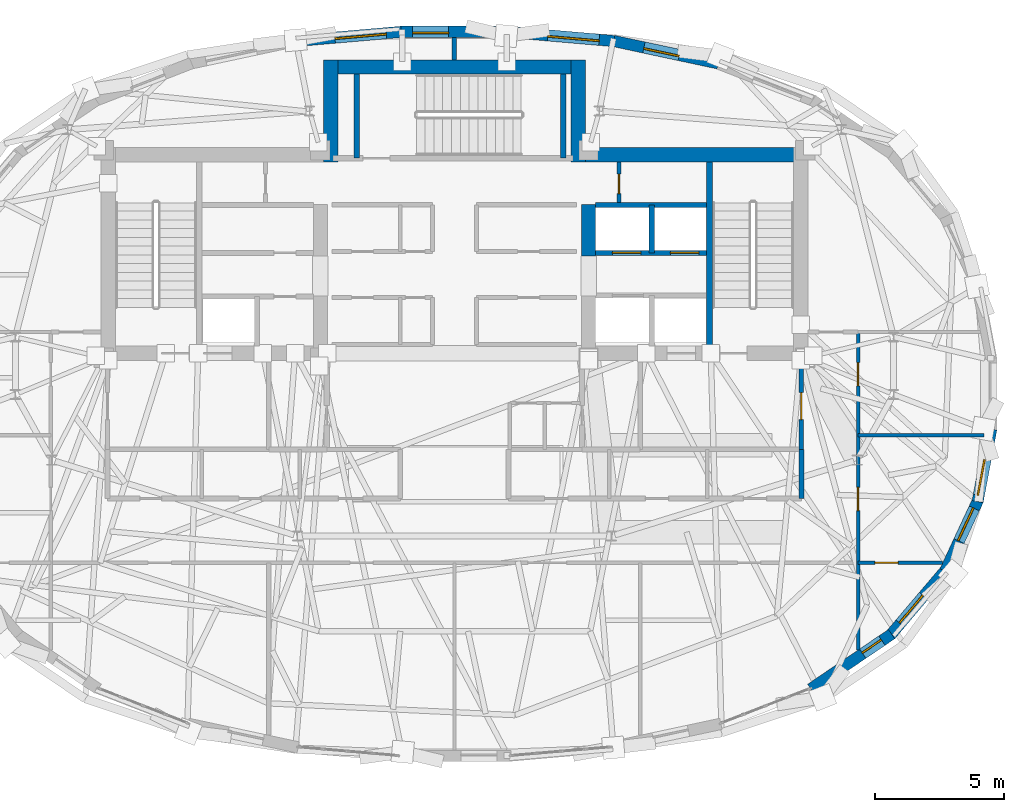
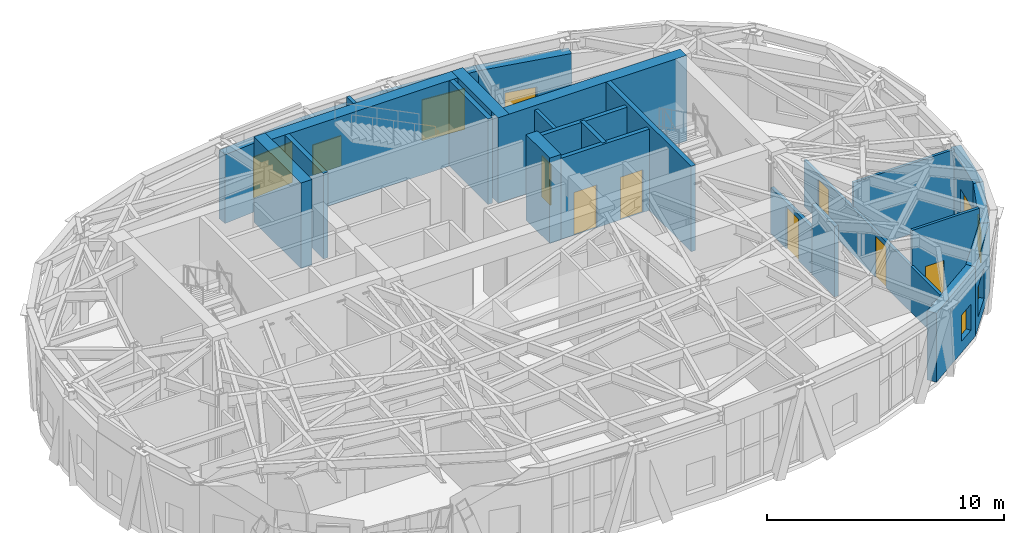
# One storey, part 11 of 15: 26 walls, 8 windows, 7 doors, 15 openings.
"""IFC4 building model written with IfcOpenShell, lengths in metres."""

from ifc_helpers import new_model, si_unit, direction, frame, frame_2d, origin, place, context, subcontext, project, spatial, rectangle, extrude, material, layer, layer_set, type_object, element, fill, save


model = new_model("IFC4")

# Units and contexts
model_context = context("Model", 3, precision=1e-05, world=origin(), true_north=direction((0.0, 1.0)))
body_context = subcontext(model_context, "Body", "Model", "MODEL_VIEW")
ifc_project = project(units=[si_unit("LENGTHUNIT", "METRE"), si_unit("AREAUNIT", "SQUARE_METRE"), si_unit("VOLUMEUNIT", "CUBIC_METRE"), si_unit("PLANEANGLEUNIT", "RADIAN"), si_unit("MASSUNIT", "GRAM", prefix="KILO")], contexts=[model_context])

# Site, building, storey
site_placement = place(None, origin())
site = spatial("IfcSite", under=ifc_project, at=site_placement, CompositionType="ELEMENT")
building_placement = place(site_placement, origin())
building = spatial("IfcBuilding", under=site, at=building_placement, Name="Keldmark Tower", CompositionType="ELEMENT")
storey_placement = place(building_placement, frame((0.0, 0.0, 260.39990234375)))
storey = spatial("IfcBuildingStorey", under=building, at=storey_placement, Name="L74", CompositionType="ELEMENT", Elevation=260.39990234375)

# Wall, openings, doors
ifc_material_1 = material(Name="Acoustic Double-Layer Gypsum Corridor Partition", Category="gypsum")
ifc_layer_1 = layer(ifc_material_1, 0.139892578125)
ifc_layer_set_1 = layer_set([ifc_layer_1], Name="Acoustic Double-Layer Gypsum Corridor Partition")
wall_type_1 = type_object("IfcWallType", Name="Acoustic Corridor Partition 140 mm", PredefinedType="PARTITIONING", material=ifc_layer_set_1)
wall_1_placement = place(storey_placement, frame((15.64990234375, -9.920654296875, 0.0), z_axis=(0.0, 0.0, 1.0), x_axis=(0.0, 1.0, 0.0)))
wall_1 = element("IfcWall", 1, at=wall_1_placement, inside=storey, type_object=wall_type_1, Name="L74 Acoustic Corridor Partition 140 mm COR-E", PredefinedType="PARTITIONING", context=body_context, shape_type="SweptSolid", body=[
    extrude(rectangle(XDim=12.320556640625, YDim=0.139892578125, at=frame_2d((6.16015625, 0.0))), origin(), (0.0, 0.0, 1.0), 2.3701171875),
])
opening_1_placement = place(wall_1_placement, frame((5.3955078125, 0.0, 0.0)))
opening_1 = element("IfcOpeningElement", 2, at=opening_1_placement, cuts=wall_1, Name="Opening D-IN090", PredefinedType="OPENING", context=body_context, shape_type="SweptSolid", body=[
    extrude(rectangle(XDim=0.89990234375, YDim=2.10009765625, at=frame_2d((0.449951171875, 1.050048828125))), frame((0.0, 0.079833984375, 0.0), z_axis=(0.0, -1.0, 0.0), x_axis=(1.0, 0.0, 0.0)), (0.0, 0.0, 1.0), 0.159912109375),
])
opening_2_placement = place(wall_1_placement, frame((10.230712890625, 0.0, 0.0)))
opening_2 = element("IfcOpeningElement", 3, at=opening_2_placement, cuts=wall_1, Name="Opening D-IN090", PredefinedType="OPENING", context=body_context, shape_type="SweptSolid", body=[
    extrude(rectangle(XDim=0.89990234375, YDim=2.10009765625, at=frame_2d((0.449951171875, 1.050048828125))), frame((0.0, 0.079833984375, 0.0), z_axis=(0.0, -1.0, 0.0), x_axis=(1.0, 0.0, 0.0)), (0.0, 0.0, 1.0), 0.159912109375),
])
ifc_material_2 = material(Name="Stained American White Oak Veneer", Category="wood")
door_type_1 = type_object("IfcDoorType", Name="Interior Door 900x2100", OperationType="NOTDEFINED", PredefinedType="DOOR", material=ifc_material_2)
door_1_placement = place(opening_1_placement, origin())
door_1 = element("IfcDoor", 4, at=door_1_placement, inside=storey, type_object=door_type_1, Name="L74 Interior Door 900x2100 D-ER-1-L74", OperationType="SINGLE_SWING_LEFT", OverallHeight=2.10009765625, OverallWidth=0.89990234375, PredefinedType="DOOR", context=body_context, shape_type="SweptSolid", body=[
    extrude(rectangle(XDim=0.89990234375, YDim=2.10009765625, at=frame_2d((0.449951171875, 1.050048828125))), frame((0.0, 0.02490234375, 0.0), z_axis=(0.0, -1.0, 0.0), x_axis=(1.0, 0.0, 0.0)), (0.0, 0.0, 1.0), 0.050048828125),
])
fill(opening_1, door_1)
door_2_placement = place(opening_2_placement, origin())
door_2 = element("IfcDoor", 5, at=door_2_placement, inside=storey, type_object=door_type_1, Name="L74 Interior Door 900x2100 D-ER-2-L74", OperationType="SINGLE_SWING_LEFT", OverallHeight=2.10009765625, OverallWidth=0.89990234375, PredefinedType="DOOR", context=body_context, shape_type="SweptSolid", body=[
    extrude(rectangle(XDim=0.89990234375, YDim=2.10009765625, at=frame_2d((0.449951171875, 1.050048828125))), frame((0.0, 0.02490234375, 0.0), z_axis=(0.0, -1.0, 0.0), x_axis=(1.0, 0.0, 0.0)), (0.0, 0.0, 1.0), 0.050048828125),
])
fill(opening_2, door_2)

# Walls
ifc_material_3 = material(Name="STC-58 Insulated Tenant Demising Gypsum Partition", Category="gypsum")
ifc_layer_2 = layer(ifc_material_3, 0.175048828125)
ifc_layer_set_2 = layer_set([ifc_layer_2], Name="STC-58 Insulated Tenant Demising Gypsum Partition")
wall_type_2 = type_object("IfcWallType", Name="Demising Suite Partition 175 mm", PredefinedType="PARTITIONING", material=ifc_layer_set_2)
wall_2_placement = place(storey_placement, frame((0.0, 12.949951171875, 0.0), z_axis=(0.0, 0.0, 1.0), x_axis=(0.0, 1.0, 0.0)))
element("IfcWall", 6, at=wall_2_placement, inside=storey, type_object=wall_type_2, Name="L74 Demising Suite Partition 175 mm N-MID-DIV", PredefinedType="PARTITIONING", context=body_context, shape_type="SweptSolid", body=[
    extrude(rectangle(XDim=0.861328125, YDim=0.175048828125, at=frame_2d((0.4306640625, 0.0))), origin(), (0.0, 0.0, 1.0), 4.18017578125),
])
ifc_material_4 = material(Name="Heavy Acoustic Plumbing Chase Gypsum Assembly", Category="gypsum")
ifc_layer_3 = layer(ifc_material_4, 0.18994140625)
ifc_layer_set_3 = layer_set([ifc_layer_3], Name="Heavy Acoustic Plumbing Chase Gypsum Assembly")
wall_type_3 = type_object("IfcWallType", Name="Heavy Wet Wall 190 mm", PredefinedType="PLUMBINGWALL", material=ifc_layer_set_3)
wall_3_placement = place(storey_placement, frame((13.449951171875, -4.050048828125, 0.0), z_axis=(0.0, 0.0, 1.0), x_axis=(0.0, 1.0, 0.0)))
element("IfcWall", 7, at=wall_3_placement, inside=storey, type_object=wall_type_3, Name="L74 Heavy Wet Wall 190 mm SPK-E-E", PredefinedType="PLUMBINGWALL", context=body_context, shape_type="SweptSolid", body=[
    extrude(rectangle(XDim=1.900146484375, YDim=0.18994140625, at=frame_2d((0.9501953125, 0.0))), origin(), (0.0, 0.0, 1.0), 3.633056640625),
])
ifc_material_5 = material(Name="Concrete C50/60", Category="concrete")
ifc_layer_4 = layer(ifc_material_5, 0.550048828125)
ifc_layer_set_4 = layer_set([ifc_layer_4], Name="Concrete C50/60")
wall_type_4 = type_object("IfcWallType", Name="High-Rise Core Shear Wall 550 mm", PredefinedType="SHEAR", material=ifc_layer_set_4)
wall_4_placement = place(storey_placement, frame((4.52490234375, 9.27490234375, 0.0), z_axis=(0.0, 0.0, 1.0), x_axis=(1.0, 0.0, 0.0)))
element("IfcWall", 8, at=wall_4_placement, inside=storey, type_object=wall_type_4, Name="L74 East Core North Shear Wall", PredefinedType="SHEAR", context=body_context, shape_type="SweptSolid", body=[
    extrude(rectangle(XDim=9.175048828125, YDim=0.550048828125, at=frame_2d((4.58740234375, 0.0))), origin(), (0.0, 0.0, 1.0), 4.400146484375),
])
wall_5_placement = place(storey_placement, frame((5.199951171875, 5.35009765625, 0.0), z_axis=(0.0, 0.0, 1.0), x_axis=(0.0, 1.0, 0.0)))
element("IfcWall", 9, at=wall_5_placement, inside=storey, type_object=wall_type_4, Name="L74 East Core Inner Shear Pier North", PredefinedType="SHEAR", context=body_context, shape_type="SweptSolid", body=[
    extrude(rectangle(XDim=2.0, YDim=0.550048828125, at=frame_2d((1.0, 0.0))), origin(), (0.0, 0.0, 1.0), 4.400146484375),
])
wall_6_placement = place(storey_placement, frame((-5.074951171875, 12.675048828125, 0.0), z_axis=(0.0, 0.0, 1.0), x_axis=(1.0, 0.0, 0.0)))
element("IfcWall", 10, at=wall_6_placement, inside=storey, type_object=wall_type_4, Name="L74 North Core Shear Wall", PredefinedType="SHEAR", context=body_context, shape_type="SweptSolid", body=[
    extrude(rectangle(XDim=10.14990234375, YDim=0.550048828125, at=frame_2d((5.074951171875, 0.0))), origin(), (0.0, 0.0, 1.0), 4.400146484375),
])
for number, where, z_axis, x_axis, name in (
    (11, (-4.800048828125, 9.0, 0.0), (0.0, 0.0, 1.0), (0.0, 1.0, 0.0), "L74 North Core West Shear Wall"),
    (12, (4.800048828125, 9.0, 0.0), (0.0, 0.0, 1.0), (0.0, 1.0, 0.0), "L74 North Core East Shear Wall"),
):
    element("IfcWall", number, at=place(storey_placement, frame(where, z_axis=z_axis, x_axis=x_axis)), inside=storey, type_object=wall_type_4, Name=name, PredefinedType="SHEAR", context=body_context, shape_type="SweptSolid", body=[
        extrude(rectangle(XDim=3.949951171875, YDim=0.550048828125, at=frame_2d((1.97509765625, 0.0))), origin(), (0.0, 0.0, 1.0), 4.400146484375),
    ])

# Wall, opening, door
ifc_material_6 = material(Name="Acoustic Gypsum Board Interior Partition", Category="gypsum")
ifc_layer_5 = layer(ifc_material_6, 0.1298828125)
ifc_layer_set_5 = layer_set([ifc_layer_5], Name="Acoustic Gypsum Board Interior Partition")
wall_type_5 = type_object("IfcWallType", Name="Interior Partition 130 mm", PredefinedType="PARTITIONING", material=ifc_layer_set_5)
wall_7_placement = place(storey_placement, frame((15.64990234375, -6.550048828125, 0.0), z_axis=(0.0, 0.0, 1.0), x_axis=(1.0, 0.0, 0.0)))
wall_7 = element("IfcWall", 13, at=wall_7_placement, inside=storey, type_object=wall_type_5, Name="L74 Interior Partition 130 mm E-CAP-S", PredefinedType="PARTITIONING", context=body_context, shape_type="SweptSolid", body=[
    extrude(rectangle(XDim=3.270751953125, YDim=0.1298828125, at=frame_2d((1.63525390625, 0.0))), origin(), (0.0, 0.0, 1.0), 4.18017578125),
])
opening_3_placement = place(wall_7_placement, frame((0.64990234375, 0.0, 0.0)))
opening_3 = element("IfcOpeningElement", 14, at=opening_3_placement, cuts=wall_7, Name="Opening D-IN090", PredefinedType="OPENING", context=body_context, shape_type="SweptSolid", body=[
    extrude(rectangle(XDim=0.89990234375, YDim=2.10009765625, at=frame_2d((0.449951171875, 1.050048828125))), frame((0.0, 0.074951171875, 0.0), z_axis=(0.0, -1.0, 0.0), x_axis=(1.0, 0.0, 0.0)), (0.0, 0.0, 1.0), 0.14990234375),
])
door_3_placement = place(opening_3_placement, origin())
door_3 = element("IfcDoor", 15, at=door_3_placement, inside=storey, type_object=door_type_1, Name="L74 Interior Door 900x2100 D-ERSE-L74", OperationType="SINGLE_SWING_RIGHT", OverallHeight=2.10009765625, OverallWidth=0.89990234375, PredefinedType="DOOR", context=body_context, shape_type="SweptSolid", body=[
    extrude(rectangle(XDim=0.89990234375, YDim=2.10009765625, at=frame_2d((0.449951171875, 1.050048828125))), frame((0.0, 0.02490234375, 0.0), z_axis=(0.0, -1.0, 0.0), x_axis=(1.0, 0.0, 0.0)), (0.0, 0.0, 1.0), 0.050048828125),
])
fill(opening_3, door_3)

# Wall
wall_8_placement = place(storey_placement, frame((15.64990234375, -1.60009765625, 0.0), z_axis=(0.0, 0.0, 1.0), x_axis=(1.0, 0.0, 0.0)))
element("IfcWall", 16, at=wall_8_placement, inside=storey, type_object=wall_type_5, Name="L74 Interior Partition 130 mm E-DIV-1", PredefinedType="PARTITIONING", context=body_context, shape_type="SweptSolid", body=[
    extrude(rectangle(XDim=4.890869140625, YDim=0.1298828125, at=frame_2d((2.4453125, 0.0))), origin(), (0.0, 0.0, 1.0), 3.633056640625),
])

# Wall, opening, door
ifc_material_7 = material(Name="Type X Fire-Rated Gypsum Partition Assembly", Category="gypsum")
ifc_layer_6 = layer(ifc_material_7, 0.1650390625)
ifc_layer_set_6 = layer_set([ifc_layer_6], Name="Type X Fire-Rated Gypsum Partition Assembly")
wall_type_6 = type_object("IfcWallType", Name="Rated Partition 165 mm", PredefinedType="PARTITIONING", material=ifc_layer_set_6)
wall_9_placement = place(storey_placement, frame((13.449951171875, -2.14990234375, 0.0), z_axis=(0.0, 0.0, 1.0), x_axis=(0.0, 1.0, 0.0)))
wall_9 = element("IfcWall", 17, at=wall_9_placement, inside=storey, type_object=wall_type_6, Name="L74 Rated Partition 165 mm FSAE-E-E", PredefinedType="PARTITIONING", context=body_context, shape_type="SweptSolid", body=[
    extrude(rectangle(XDim=3.5, YDim=0.1650390625, at=frame_2d((1.75, 0.0))), origin(), (0.0, 0.0, 1.0), 2.3701171875),
])
opening_4_placement = place(wall_9_placement, frame((1.14990234375, 0.0, 0.0)))
opening_4 = element("IfcOpeningElement", 18, at=opening_4_placement, cuts=wall_9, Name="Opening D-FL105", PredefinedType="OPENING", context=body_context, shape_type="SweptSolid", body=[
    extrude(rectangle(XDim=1.050048828125, YDim=2.14990234375, at=frame_2d((0.52490234375, 1.074951171875))), frame((0.0, 0.092529296875, 0.0), z_axis=(0.0, -1.0, 0.0), x_axis=(1.0, 0.0, 0.0)), (0.0, 0.0, 1.0), 0.18505859375),
])
ifc_material_8 = material(Name="Fire-Rated Mineral-Core Door and Vision Lite", Category="metal")
door_type_2 = type_object("IfcDoorType", Name="Fire Lobby Door 1050x2150", OperationType="NOTDEFINED", PredefinedType="DOOR", material=ifc_material_8)
door_4_placement = place(opening_4_placement, origin())
door_4 = element("IfcDoor", 19, at=door_4_placement, inside=storey, type_object=door_type_2, Name="L74 Fire Lobby Door 1050x2150 D-FSAEE-OUT-L74", OperationType="SINGLE_SWING_LEFT", OverallHeight=2.14990234375, OverallWidth=1.050048828125, PredefinedType="DOOR", context=body_context, shape_type="SweptSolid", body=[
    extrude(rectangle(XDim=1.050048828125, YDim=2.14990234375, at=frame_2d((0.52490234375, 1.074951171875))), frame((0.0, 0.02490234375, 0.0), z_axis=(0.0, -1.0, 0.0), x_axis=(1.0, 0.0, 0.0)), (0.0, 0.0, 1.0), 0.050048828125),
])
fill(opening_4, door_4)

wall_10_placement = place(storey_placement, frame((6.3798828125, 7.419921875, 0.0), z_axis=(0.0, 0.0, 1.0), x_axis=(0.0, 1.0, 0.0)))
wall_10 = element("IfcWall", 20, at=wall_10_placement, inside=storey, type_object=wall_type_6, Name="L74 Rated Partition 165 mm CS-NE-W", PredefinedType="PARTITIONING", context=body_context, shape_type="SweptSolid", body=[
    extrude(rectangle(XDim=1.580078125, YDim=0.1650390625, at=frame_2d((0.7900390625, 0.0))), origin(), (0.0, 0.0, 1.0), 4.18017578125),
])
opening_5_placement = place(wall_10_placement, frame((0.35009765625, 0.0, 0.0)))
opening_5 = element("IfcOpeningElement", 21, at=opening_5_placement, cuts=wall_10, Name="Opening D-RS075", PredefinedType="OPENING", context=body_context, shape_type="SweptSolid", body=[
    extrude(rectangle(XDim=0.75, YDim=2.10009765625, at=frame_2d((0.375, 1.050048828125))), frame((0.0, 0.092529296875, 0.0), z_axis=(0.0, -1.0, 0.0), x_axis=(1.0, 0.0, 0.0)), (0.0, 0.0, 1.0), 0.18505859375),
])
ifc_material_9 = material(Name="Galvanized Fire-Rated Access Leaf", Category="metal")
door_type_3 = type_object("IfcDoorType", Name="Riser Access Door 750x2100", OperationType="NOTDEFINED", PredefinedType="DOOR", material=ifc_material_9)
door_5_placement = place(opening_5_placement, origin())
door_5 = element("IfcDoor", 22, at=door_5_placement, inside=storey, type_object=door_type_3, Name="L74 Riser Access Door 750x2100 D-CSNE1-L74", OperationType="SINGLE_SWING_LEFT", OverallHeight=2.10009765625, OverallWidth=0.75, PredefinedType="DOOR", context=body_context, shape_type="SweptSolid", body=[
    extrude(rectangle(XDim=0.75, YDim=2.10009765625, at=frame_2d((0.375, 1.050048828125))), frame((0.0, 0.02490234375, 0.0), z_axis=(0.0, -1.0, 0.0), x_axis=(1.0, 0.0, 0.0)), (0.0, 0.0, 1.0), 0.050048828125),
])
fill(opening_5, door_5)

# Wall, openings, doors
ifc_material_10 = material(Name="Fire-Resistant Type X Gypsum Shaftliner Coreboard", Category="gypsum")
ifc_layer_7 = layer(ifc_material_10, 0.199951171875)
ifc_layer_set_7 = layer_set([ifc_layer_7], Name="Fire-Resistant Type X Gypsum Shaftliner Coreboard")
wall_type_7 = type_object("IfcWallType", Name="Shaft Wall 200 mm", PredefinedType="SOLIDWALL", material=ifc_layer_set_7)
wall_11_placement = place(storey_placement, frame((5.47509765625, 5.469970703125, 0.0), z_axis=(0.0, 0.0, 1.0), x_axis=(1.0, 0.0, 0.0)))
wall_11 = element("IfcWall", 23, at=wall_11_placement, inside=storey, type_object=wall_type_7, Name="L74 Shaft Wall 200 mm HW-E-N", PredefinedType="SOLIDWALL", context=body_context, shape_type="SweptSolid", body=[
    extrude(rectangle(XDim=4.304931640625, YDim=0.199951171875, at=frame_2d((2.15234375, 0.0))), origin(), (0.0, 0.0, 1.0), 4.18017578125),
])
opening_6_placement = place(wall_11_placement, frame((0.64990234375, 0.0, 0.0)))
opening_6 = element("IfcOpeningElement", 24, at=opening_6_placement, cuts=wall_11, Name="Opening LD-110", PredefinedType="OPENING", context=body_context, shape_type="SweptSolid", body=[
    extrude(rectangle(XDim=1.10009765625, YDim=2.199951171875, at=frame_2d((0.550048828125, 1.10009765625))), frame((0.0, 0.10986328125, 0.0), z_axis=(0.0, -1.0, 0.0), x_axis=(1.0, 0.0, 0.0)), (0.0, 0.0, 1.0), 0.219970703125),
])
opening_7_placement = place(wall_11_placement, frame((2.89990234375, 0.0, 0.0)))
opening_7 = element("IfcOpeningElement", 25, at=opening_7_placement, cuts=wall_11, Name="Opening LD-110", PredefinedType="OPENING", context=body_context, shape_type="SweptSolid", body=[
    extrude(rectangle(XDim=1.10009765625, YDim=2.199951171875, at=frame_2d((0.550048828125, 1.10009765625))), frame((0.0, 0.10986328125, 0.0), z_axis=(0.0, -1.0, 0.0), x_axis=(1.0, 0.0, 0.0)), (0.0, 0.0, 1.0), 0.219970703125),
])
ifc_material_11 = material(Name="Brushed Bronze Hoistway Sliding Leaf", Category="metal")
door_type_4 = type_object("IfcDoorType", Name="Lift Landing Sliding Door 1100x2200", OperationType="SLIDING_TO_LEFT", PredefinedType="DOOR", material=ifc_material_11)
door_6_placement = place(opening_6_placement, origin())
door_6 = element("IfcDoor", 26, at=door_6_placement, inside=storey, type_object=door_type_4, Name="L74 Lift Landing Sliding Door 1100x2200 LD-EL-OB1-L74", OperationType="SLIDING_TO_LEFT", OverallHeight=2.199951171875, OverallWidth=1.10009765625, PredefinedType="DOOR", context=body_context, shape_type="SweptSolid", body=[
    extrude(rectangle(XDim=1.10009765625, YDim=2.199951171875, at=frame_2d((0.550048828125, 1.10009765625))), frame((0.0, 0.02490234375, 0.0), z_axis=(0.0, -1.0, 0.0), x_axis=(1.0, 0.0, 0.0)), (0.0, 0.0, 1.0), 0.050048828125),
])
fill(opening_6, door_6)
door_7_placement = place(opening_7_placement, origin())
door_7 = element("IfcDoor", 27, at=door_7_placement, inside=storey, type_object=door_type_4, Name="L74 Lift Landing Sliding Door 1100x2200 LD-EL-OB2-L74", OperationType="SLIDING_TO_LEFT", OverallHeight=2.199951171875, OverallWidth=1.10009765625, PredefinedType="DOOR", context=body_context, shape_type="SweptSolid", body=[
    extrude(rectangle(XDim=1.10009765625, YDim=2.199951171875, at=frame_2d((0.550048828125, 1.10009765625))), frame((0.0, 0.02490234375, 0.0), z_axis=(0.0, -1.0, 0.0), x_axis=(1.0, 0.0, 0.0)), (0.0, 0.0, 1.0), 0.050048828125),
])
fill(opening_7, door_7)

# Walls
wall_12_placement = place(storey_placement, frame((5.47509765625, 7.330078125, 0.0), z_axis=(0.0, 0.0, 1.0), x_axis=(1.0, 0.0, 0.0)))
element("IfcWall", 28, at=wall_12_placement, inside=storey, type_object=wall_type_7, Name="L74 Shaft Wall 200 mm HW-E-TOP", PredefinedType="SOLIDWALL", context=body_context, shape_type="SweptSolid", body=[
    extrude(rectangle(XDim=4.304931640625, YDim=0.199951171875, at=frame_2d((2.15234375, 0.0))), origin(), (0.0, 0.0, 1.0), 4.18017578125),
])
wall_13_placement = place(storey_placement, frame((7.64990234375, 5.469970703125, 0.0), z_axis=(0.0, 0.0, 1.0), x_axis=(0.0, 1.0, 0.0)))
element("IfcWall", 29, at=wall_13_placement, inside=storey, type_object=wall_type_7, Name="L74 Shaft Wall 200 mm HW-E-NM", PredefinedType="SOLIDWALL", context=body_context, shape_type="SweptSolid", body=[
    extrude(rectangle(XDim=1.860107421875, YDim=0.199951171875, at=frame_2d((0.93017578125, 0.0))), origin(), (0.0, 0.0, 1.0), 4.18017578125),
])
ifc_material_12 = material(Name="Concrete C50/60", Category="concrete")
ifc_layer_8 = layer(ifc_material_12, 0.219970703125)
ifc_layer_set_8 = layer_set([ifc_layer_8], Name="Concrete C50/60")
wall_type_8 = type_object("IfcWallType", Name="Stair Core Shear Wall 220 mm", PredefinedType="SHEAR", material=ifc_layer_set_8)
wall_14_placement = place(storey_placement, frame((9.889892578125, 1.85009765625, 0.0), z_axis=(0.0, 0.0, 1.0), x_axis=(0.0, 1.0, 0.0)))
element("IfcWall", 30, at=wall_14_placement, inside=storey, type_object=wall_type_8, Name="L74 East Stair Core Shear Wall", PredefinedType="SHEAR", context=body_context, shape_type="SweptSolid", body=[
    extrude(rectangle(XDim=7.14990234375, YDim=0.219970703125, at=frame_2d((3.574951171875, 0.0))), origin(), (0.0, 0.0, 1.0), 4.400146484375),
])
for number, where, z_axis, x_axis, name in (
    (31, (-3.784912109375, 9.139892578125, 0.0), (0.0, 0.0, 1.0), (0.0, 1.0, 0.0), "L74 Central Stair Core West Shear Wall"),
    (32, (4.215087890625, 9.139892578125, 0.0), (0.0, 0.0, 1.0), (0.0, 1.0, 0.0), "L74 Central Stair Core East Shear Wall"),
):
    element("IfcWall", number, at=place(storey_placement, frame(where, z_axis=z_axis, x_axis=x_axis)), inside=storey, type_object=wall_type_8, Name=name, PredefinedType="SHEAR", context=body_context, shape_type="SweptSolid", body=[
        extrude(rectangle(XDim=3.260009765625, YDim=0.219970703125, at=frame_2d((1.6298828125, 0.0))), origin(), (0.0, 0.0, 1.0), 4.400146484375),
    ])

# Wall, opening, window
ifc_material_13 = material(Name="Ironspot Manganese Brick and Kasota Buff Limestone Spandrel Assembly", Category="masonry")
ifc_layer_9 = layer(ifc_material_13, 0.43994140625)
ifc_layer_set_9 = layer_set([ifc_layer_9], Name="Ironspot Manganese Brick and Kasota Buff Limestone Spandrel Assembly")
wall_type_9 = type_object("IfcWallType", Name="Tower Brick Pier and Spandrel Wall 440 mm", PredefinedType="STANDARD", material=ifc_layer_set_9)
wall_15_placement = place(storey_placement, frame((6.17333984375, 13.68408203125, 0.0), z_axis=(0.0, 0.0, 1.0), x_axis=(0.977824810368, -0.209424545429, 0.0)))
wall_15 = element("IfcWall", 33, at=wall_15_placement, inside=storey, type_object=wall_type_9, Name="L74 Exterior Brick and Spandrel Wall 06", PredefinedType="STANDARD", context=body_context, shape_type="SweptSolid", body=[
    extrude(rectangle(XDim=4.146728515625, YDim=0.43994140625, at=frame_2d((2.0732421875, 0.0))), origin(), (0.0, 0.0, 1.0), 3.546142578125),
])
opening_8_placement = place(wall_15_placement, frame((1.198486328125, 0.0, 0.60009765625)))
opening_8 = element("IfcOpeningElement", 34, at=opening_8_placement, cuts=wall_15, Name="Opening W-08", PredefinedType="OPENING", context=body_context, shape_type="SweptSolid", body=[
    extrude(rectangle(XDim=1.39990234375, YDim=1.550048828125, at=frame_2d((0.699951171875, 0.77490234375))), frame((0.0, 0.22998046875, 0.0), z_axis=(0.0, -1.0, 0.0), x_axis=(1.0, 0.0, 0.0)), (0.0, 0.0, 1.0), 0.4599609375),
])
ifc_material_14 = material(Name="Thermally Broken Anodized Aluminum and Triple Low-E Argon Glazing", Category="aluminium")
window_type_1 = type_object("IfcWindowType", Name="Residential Corner Punched Window 1400x1550", PartitioningType="SINGLE_PANEL", PredefinedType="WINDOW", material=ifc_material_14)
window_1_placement = place(opening_8_placement, origin())
window_1 = element("IfcWindow", 35, at=window_1_placement, inside=storey, type_object=window_type_1, Name="L74 Deep-Set Window 06", OverallHeight=1.550048828125, OverallWidth=1.39990234375, PartitioningType="SINGLE_PANEL", PredefinedType="WINDOW", context=body_context, shape_type="SweptSolid", body=[
    extrude(rectangle(XDim=1.39990234375, YDim=1.550048828125, at=frame_2d((0.699951171875, 0.77490234375))), frame((0.0, -0.010009765625, 0.0), z_axis=(0.0, -1.0, 0.0), x_axis=(1.0, 0.0, 0.0)), (0.0, 0.0, 1.0), 0.06005859375),
])
fill(opening_8, window_1)

wall_16_placement = place(storey_placement, frame((2.052490234375, 14.0400390625, 0.0), z_axis=(0.0, 0.0, 1.0), x_axis=(0.996252680042, -0.086490447502, 0.0)))
wall_16 = element("IfcWall", 36, at=wall_16_placement, inside=storey, type_object=wall_type_9, Name="L74 Exterior Brick and Spandrel Wall 07", PredefinedType="STANDARD", context=body_context, shape_type="SweptSolid", body=[
    extrude(rectangle(XDim=4.16357421875, YDim=0.43994140625, at=frame_2d((2.081787109375, 0.0))), origin(), (0.0, 0.0, 1.0), 3.546142578125),
])
opening_9_placement = place(wall_16_placement, frame((1.571533203125, 0.0, 0.60009765625)))
opening_9 = element("IfcOpeningElement", 37, at=opening_9_placement, cuts=wall_16, Name="Opening W-06", PredefinedType="OPENING", context=body_context, shape_type="SweptSolid", body=[
    extrude(rectangle(XDim=2.0, YDim=2.10009765625, at=frame_2d((1.0, 1.050048828125))), frame((0.0, 0.22998046875, 0.0), z_axis=(0.0, -1.0, 0.0), x_axis=(1.0, 0.0, 0.0)), (0.0, 0.0, 1.0), 0.4599609375),
])
ifc_material_15 = material(Name="Thermally Broken Anodized Aluminum and Triple Low-E Argon Glazing", Category="aluminium")
window_type_2 = type_object("IfcWindowType", Name="Sky Lounge Tall Punched Window 2000x2100", PartitioningType="SINGLE_PANEL", PredefinedType="WINDOW", material=ifc_material_15)
window_2_placement = place(opening_9_placement, origin())
window_2 = element("IfcWindow", 38, at=window_2_placement, inside=storey, type_object=window_type_2, Name="L74 Deep-Set Window 07", OverallHeight=2.10009765625, OverallWidth=2.0, PartitioningType="SINGLE_PANEL", PredefinedType="WINDOW", context=body_context, shape_type="SweptSolid", body=[
    extrude(rectangle(XDim=2.0, YDim=2.10009765625, at=frame_2d((1.0, 1.050048828125))), frame((0.0, -0.010009765625, 0.0), z_axis=(0.0, -1.0, 0.0), x_axis=(1.0, 0.0, 0.0)), (0.0, 0.0, 1.0), 0.06005859375),
])
fill(opening_9, window_2)

wall_17_placement = place(storey_placement, frame((-2.071533203125, 14.039306640625, 0.0), z_axis=(0.0, 0.0, 1.0), x_axis=(1.0, 0.0, 0.0)))
wall_17 = element("IfcWall", 39, at=wall_17_placement, inside=storey, type_object=wall_type_9, Name="L74 Exterior Brick and Spandrel Wall 08", PredefinedType="STANDARD", context=body_context, shape_type="SweptSolid", body=[
    extrude(rectangle(XDim=4.14306640625, YDim=0.43994140625, at=frame_2d((2.071533203125, 0.0))), origin(), (0.0, 0.0, 1.0), 3.546142578125),
])
opening_10_placement = place(wall_17_placement, frame((0.44921875, 0.0, 0.580078125)))
opening_10 = element("IfcOpeningElement", 40, at=opening_10_placement, cuts=wall_17, Name="Opening W-08", PredefinedType="OPENING", context=body_context, shape_type="SweptSolid", body=[
    extrude(rectangle(XDim=1.39990234375, YDim=1.550048828125, at=frame_2d((0.699951171875, 0.77490234375))), frame((0.0, 0.22998046875, 0.0), z_axis=(0.0, -1.0, 0.0), x_axis=(1.0, 0.0, 0.0)), (0.0, 0.0, 1.0), 0.4599609375),
])
window_3_placement = place(opening_10_placement, origin())
window_3 = element("IfcWindow", 41, at=window_3_placement, inside=storey, type_object=window_type_1, Name="L74 Deep-Set Window 08", OverallHeight=1.550048828125, OverallWidth=1.39990234375, PartitioningType="SINGLE_PANEL", PredefinedType="WINDOW", context=body_context, shape_type="SweptSolid", body=[
    extrude(rectangle(XDim=1.39990234375, YDim=1.550048828125, at=frame_2d((0.699951171875, 0.77490234375))), frame((0.0, -0.010009765625, 0.0), z_axis=(0.0, -1.0, 0.0), x_axis=(1.0, 0.0, 0.0)), (0.0, 0.0, 1.0), 0.06005859375),
])
fill(opening_10, window_3)

wall_18_placement = place(storey_placement, frame((-6.200439453125, 13.679931640625, 0.0), z_axis=(0.0, 0.0, 1.0), x_axis=(0.996252680042, 0.086490447502, 0.0)))
wall_18 = element("IfcWall", 42, at=wall_18_placement, inside=storey, type_object=wall_type_9, Name="L74 Exterior Brick and Spandrel Wall 09", PredefinedType="STANDARD", context=body_context, shape_type="SweptSolid", body=[
    extrude(rectangle(XDim=4.16357421875, YDim=0.43994140625, at=frame_2d((2.081787109375, 0.0))), origin(), (0.0, 0.0, 1.0), 3.546142578125),
])
opening_11_placement = place(wall_18_placement, frame((1.571533203125, 0.0, 0.60009765625)))
opening_11 = element("IfcOpeningElement", 43, at=opening_11_placement, cuts=wall_18, Name="Opening W-06", PredefinedType="OPENING", context=body_context, shape_type="SweptSolid", body=[
    extrude(rectangle(XDim=2.0, YDim=2.10009765625, at=frame_2d((1.0, 1.050048828125))), frame((0.0, 0.22998046875, 0.0), z_axis=(0.0, -1.0, 0.0), x_axis=(1.0, 0.0, 0.0)), (0.0, 0.0, 1.0), 0.4599609375),
])
window_4_placement = place(opening_11_placement, origin())
window_4 = element("IfcWindow", 44, at=window_4_placement, inside=storey, type_object=window_type_2, Name="L74 Deep-Set Window 09", OverallHeight=2.10009765625, OverallWidth=2.0, PartitioningType="SINGLE_PANEL", PredefinedType="WINDOW", context=body_context, shape_type="SweptSolid", body=[
    extrude(rectangle(XDim=2.0, YDim=2.10009765625, at=frame_2d((1.0, 1.050048828125))), frame((0.0, -0.010009765625, 0.0), z_axis=(0.0, -1.0, 0.0), x_axis=(1.0, 0.0, 0.0)), (0.0, 0.0, 1.0), 0.06005859375),
])
fill(opening_11, window_4)

wall_19_placement = place(storey_placement, frame((16.9482421875, -9.31591796875, 0.0), z_axis=(0.0, 0.0, 1.0), x_axis=(-0.827716626187, -0.561146314908, 0.0)))
wall_19 = element("IfcWall", 45, at=wall_19_placement, inside=storey, type_object=wall_type_9, Name="L74 Exterior Brick and Spandrel Wall 28", PredefinedType="STANDARD", context=body_context, shape_type="SweptSolid", body=[
    extrude(rectangle(XDim=3.783447265625, YDim=0.43994140625, at=frame_2d((1.8916015625, 0.0))), origin(), (0.0, 0.0, 1.0), 3.550048828125),
])
opening_12_placement = place(wall_19_placement, frame((0.4482421875, 0.0, 0.580078125)))
opening_12 = element("IfcOpeningElement", 46, at=opening_12_placement, cuts=wall_19, Name="Opening W-09", PredefinedType="OPENING", context=body_context, shape_type="SweptSolid", body=[
    extrude(rectangle(XDim=0.89990234375, YDim=1.35009765625, at=frame_2d((0.449951171875, 0.675048828125))), frame((0.0, 0.22998046875, 0.0), z_axis=(0.0, -1.0, 0.0), x_axis=(1.0, 0.0, 0.0)), (0.0, 0.0, 1.0), 0.4599609375),
])
ifc_material_16 = material(Name="Thermally Broken Anodized Aluminum and Triple Low-E Argon Glazing", Category="aluminium")
window_type_3 = type_object("IfcWindowType", Name="Corner Pier Deep-Set Window 900x1350", PartitioningType="SINGLE_PANEL", PredefinedType="WINDOW", material=ifc_material_16)
window_5_placement = place(opening_12_placement, origin())
window_5 = element("IfcWindow", 47, at=window_5_placement, inside=storey, type_object=window_type_3, Name="L74 Deep-Set Window 28", OverallHeight=1.35009765625, OverallWidth=0.89990234375, PartitioningType="SINGLE_PANEL", PredefinedType="WINDOW", context=body_context, shape_type="SweptSolid", body=[
    extrude(rectangle(XDim=0.89990234375, YDim=1.35009765625, at=frame_2d((0.449951171875, 0.675048828125))), frame((0.0, -0.010009765625, 0.0), z_axis=(0.0, -1.0, 0.0), x_axis=(1.0, 0.0, 0.0)), (0.0, 0.0, 1.0), 0.06005859375),
])
fill(opening_12, window_5)

wall_20_placement = place(storey_placement, frame((19.0537109375, -6.82275390625, 0.0), z_axis=(0.0, 0.0, 1.0), x_axis=(-0.647061604266, -0.762437722233, 0.0)))
wall_20 = element("IfcWall", 48, at=wall_20_placement, inside=storey, type_object=wall_type_9, Name="L74 Exterior Brick and Spandrel Wall 29", PredefinedType="STANDARD", context=body_context, shape_type="SweptSolid", body=[
    extrude(rectangle(XDim=3.322265625, YDim=0.43994140625, at=frame_2d((1.6611328125, 0.0))), origin(), (0.0, 0.0, 1.0), 3.546142578125),
])
opening_13_placement = place(wall_20_placement, frame((1.329345703125, 0.0, 0.580078125)))
opening_13 = element("IfcOpeningElement", 49, at=opening_13_placement, cuts=wall_20, Name="Opening W-08", PredefinedType="OPENING", context=body_context, shape_type="SweptSolid", body=[
    extrude(rectangle(XDim=1.39990234375, YDim=1.550048828125, at=frame_2d((0.699951171875, 0.77490234375))), frame((0.0, 0.22998046875, 0.0), z_axis=(0.0, -1.0, 0.0), x_axis=(1.0, 0.0, 0.0)), (0.0, 0.0, 1.0), 0.4599609375),
])
window_6_placement = place(opening_13_placement, origin())
window_6 = element("IfcWindow", 50, at=window_6_placement, inside=storey, type_object=window_type_1, Name="L74 Deep-Set Window 29", OverallHeight=1.550048828125, OverallWidth=1.39990234375, PartitioningType="SINGLE_PANEL", PredefinedType="WINDOW", context=body_context, shape_type="SweptSolid", body=[
    extrude(rectangle(XDim=1.39990234375, YDim=1.550048828125, at=frame_2d((0.699951171875, 0.77490234375))), frame((0.0, -0.010009765625, 0.0), z_axis=(0.0, -1.0, 0.0), x_axis=(1.0, 0.0, 0.0)), (0.0, 0.0, 1.0), 0.06005859375),
])
fill(opening_13, window_6)

wall_21_placement = place(storey_placement, frame((20.302978515625, -4.123291015625, 0.0), z_axis=(0.0, 0.0, 1.0), x_axis=(-0.422378607623, -0.906419501016, 0.0)))
wall_21 = element("IfcWall", 51, at=wall_21_placement, inside=storey, type_object=wall_type_9, Name="L74 Exterior Brick and Spandrel Wall 30", PredefinedType="STANDARD", context=body_context, shape_type="SweptSolid", body=[
    extrude(rectangle(XDim=3.032958984375, YDim=0.43994140625, at=frame_2d((1.5166015625, 0.0))), origin(), (0.0, 0.0, 1.0), 3.546142578125),
])
opening_14_placement = place(wall_21_placement, frame((0.347900390625, 0.0, 0.580078125)))
opening_14 = element("IfcOpeningElement", 52, at=opening_14_placement, cuts=wall_21, Name="Opening W-08", PredefinedType="OPENING", context=body_context, shape_type="SweptSolid", body=[
    extrude(rectangle(XDim=1.39990234375, YDim=1.550048828125, at=frame_2d((0.699951171875, 0.77490234375))), frame((0.0, 0.22998046875, 0.0), z_axis=(0.0, -1.0, 0.0), x_axis=(1.0, 0.0, 0.0)), (0.0, 0.0, 1.0), 0.4599609375),
])
window_7_placement = place(opening_14_placement, origin())
window_7 = element("IfcWindow", 53, at=window_7_placement, inside=storey, type_object=window_type_1, Name="L74 Deep-Set Window 30", OverallHeight=1.550048828125, OverallWidth=1.39990234375, PartitioningType="SINGLE_PANEL", PredefinedType="WINDOW", context=body_context, shape_type="SweptSolid", body=[
    extrude(rectangle(XDim=1.39990234375, YDim=1.550048828125, at=frame_2d((0.699951171875, 0.77490234375))), frame((0.0, -0.010009765625, 0.0), z_axis=(0.0, -1.0, 0.0), x_axis=(1.0, 0.0, 0.0)), (0.0, 0.0, 1.0), 0.06005859375),
])
fill(opening_14, window_7)

wall_22_placement = place(storey_placement, frame((20.8173828125, -1.363525390625, 0.0), z_axis=(0.0, 0.0, 1.0), x_axis=(-0.185555519657, -0.982633781795, 0.0)))
wall_22 = element("IfcWall", 54, at=wall_22_placement, inside=storey, type_object=wall_type_9, Name="L74 Exterior Brick and Spandrel Wall 31", PredefinedType="STANDARD", context=body_context, shape_type="SweptSolid", body=[
    extrude(rectangle(XDim=2.86181640625, YDim=0.43994140625, at=frame_2d((1.430908203125, 0.0))), origin(), (0.0, 0.0, 1.0), 3.546142578125),
])
opening_15_placement = place(wall_22_placement, frame((1.21337890625, 0.0, 0.60009765625)))
opening_15 = element("IfcOpeningElement", 55, at=opening_15_placement, cuts=wall_22, Name="Opening W-08", PredefinedType="OPENING", context=body_context, shape_type="SweptSolid", body=[
    extrude(rectangle(XDim=1.39990234375, YDim=1.550048828125, at=frame_2d((0.699951171875, 0.77490234375))), frame((0.0, 0.22998046875, 0.0), z_axis=(0.0, -1.0, 0.0), x_axis=(1.0, 0.0, 0.0)), (0.0, 0.0, 1.0), 0.4599609375),
])
window_8_placement = place(opening_15_placement, origin())
window_8 = element("IfcWindow", 56, at=window_8_placement, inside=storey, type_object=window_type_1, Name="L74 Deep-Set Window 31", OverallHeight=1.550048828125, OverallWidth=1.39990234375, PartitioningType="SINGLE_PANEL", PredefinedType="WINDOW", context=body_context, shape_type="SweptSolid", body=[
    extrude(rectangle(XDim=1.39990234375, YDim=1.550048828125, at=frame_2d((0.699951171875, 0.77490234375))), frame((0.0, -0.010009765625, 0.0), z_axis=(0.0, -1.0, 0.0), x_axis=(1.0, 0.0, 0.0)), (0.0, 0.0, 1.0), 0.06005859375),
])
fill(opening_15, window_8)

save(model, "model.ifc")
